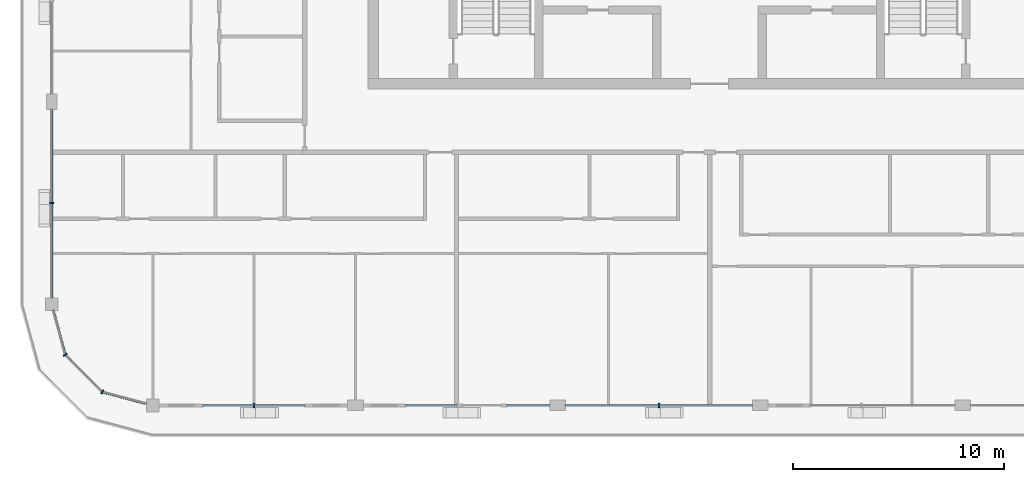
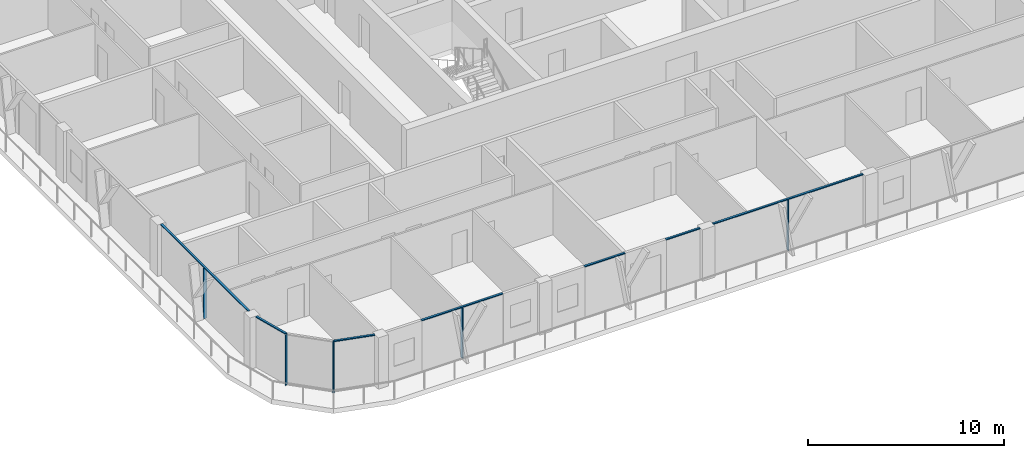
# One storey, part 2 of 21: 12 members, 5 elements without a shape of their own.
"""IFC4 building model written with IfcOpenShell, lengths in metres."""

from ifc_helpers import new_model, si_unit, direction, frame, origin, origin_2d, place, context, subcontext, project, spatial, rectangle, extrude, material, layer, layer_set, material_profile, profile_set, type_object, element, aggregate, save


model = new_model("IFC4")

# Units and contexts
model_context = context("Model", 3, precision=1e-05, world=origin(), true_north=direction((0.0, 1.0)))
body_context = subcontext(model_context, "Body", "Model", "MODEL_VIEW")
ifc_project = project(units=[si_unit("LENGTHUNIT", "METRE"), si_unit("AREAUNIT", "SQUARE_METRE"), si_unit("VOLUMEUNIT", "CUBIC_METRE"), si_unit("PLANEANGLEUNIT", "RADIAN"), si_unit("MASSUNIT", "GRAM", prefix="KILO")], contexts=[model_context])

# Site, building, storey
site_placement = place(None, origin())
site = spatial("IfcSite", under=ifc_project, at=site_placement, CompositionType="ELEMENT")
building_placement = place(site_placement, origin())
building = spatial("IfcBuilding", under=site, at=building_placement, Name="Madar Terraces", CompositionType="ELEMENT")
storey_placement = place(building_placement, frame((0.0, 0.0, 275.60009765625)))
storey = spatial("IfcBuildingStorey", under=building, at=storey_placement, Name="L72", CompositionType="ELEMENT", Elevation=275.60009765625)

# Curtain wall, member
ifc_material_1 = material(Name="Glass, ceramic frit dark grey, with black aluminium frame", Category="aluminium")
ifc_layer = layer(ifc_material_1, 0.199951171875)
ifc_layer_set = layer_set([ifc_layer], Name="Facade curtain wall, fritted glass")
curtain_wall_type = type_object("IfcCurtainWallType", Name="Facade curtain wall, fritted glass", PredefinedType="NOTDEFINED", material=ifc_layer_set)
curtain_wall_1_placement = place(storey_placement, origin())
curtain_wall_1 = element("IfcCurtainWall", 1, at=curtain_wall_1_placement, inside=storey, type_object=curtain_wall_type, Name="Outer skin curtain wall south bay 1", PredefinedType="NOTDEFINED")
ifc_material_2 = material(Name="Aluminium, black anodised", Category="aluminium")
ifc_material_profile_1 = material_profile(ifc_material_2, rectangle(XDim=0.199951171875, YDim=0.06005859375, at=origin_2d()), Name="Facade mullion 60x200")
ifc_profile_set_1 = profile_set([ifc_material_profile_1], Name="Aluminium, black anodised")
member_type_1 = type_object("IfcMemberType", Name="Facade mullion 60x200", PredefinedType="MULLION", material=ifc_profile_set_1)
member_1_placement = place(storey_placement, frame((9.60009765625, 0.0, 0.0), z_axis=(0.0, 0.0, 1.0), x_axis=(0.0, 1.0, 0.0)))
member_1 = element("IfcMember", 2, at=member_1_placement, type_object=member_type_1, Name="Mullion 1", PredefinedType="MULLION", context=body_context, shape_type="SweptSolid", body=[
    extrude(rectangle(XDim=0.199951171875, YDim=0.06005859375, at=origin_2d()), origin(), (0.0, 0.0, 1.0), 3.139892578125),
])

curtain_wall_2_placement = place(storey_placement, origin())
curtain_wall_2 = element("IfcCurtainWall", 3, at=curtain_wall_2_placement, inside=storey, type_object=curtain_wall_type, Name="Outer skin curtain wall south bay 3", PredefinedType="NOTDEFINED")
member_2_placement = place(storey_placement, frame((28.800048828125, 0.0, 0.0), z_axis=(0.0, 0.0, 1.0), x_axis=(0.0, 1.0, 0.0)))
member_2 = element("IfcMember", 4, at=member_2_placement, type_object=member_type_1, Name="Mullion 1", PredefinedType="MULLION", context=body_context, shape_type="SweptSolid", body=[
    extrude(rectangle(XDim=0.199951171875, YDim=0.06005859375, at=origin_2d()), origin(), (0.0, 0.0, 1.0), 3.139892578125),
])

curtain_wall_3_placement = place(storey_placement, origin())
curtain_wall_3 = element("IfcCurtainWall", 5, at=curtain_wall_3_placement, inside=storey, type_object=curtain_wall_type, Name="Outer skin curtain wall west bay 4", PredefinedType="NOTDEFINED")
member_3_placement = place(storey_placement, frame((0.0, 9.60009765625, 0.0), z_axis=(0.0, 0.0, 1.0), x_axis=(1.0, 0.0, 0.0)))
member_3 = element("IfcMember", 6, at=member_3_placement, type_object=member_type_1, Name="Mullion 1", PredefinedType="MULLION", context=body_context, shape_type="SweptSolid", body=[
    extrude(rectangle(XDim=0.199951171875, YDim=0.06005859375, at=origin_2d()), origin(), (0.0, 0.0, 1.0), 3.139892578125),
])

# Curtain wall, members
curtain_wall_4_placement = place(storey_placement, origin())
curtain_wall_4 = element("IfcCurtainWall", 7, at=curtain_wall_4_placement, inside=storey, type_object=curtain_wall_type, Name="Outer skin curtain wall south-west corner", PredefinedType="NOTDEFINED")
member_4_placement = place(storey_placement, frame((0.64306640625, 2.39990234375, 0.0), z_axis=(0.0, 0.0, 1.0), x_axis=(0.866025409797, 0.499999989586, 0.0)))
member_4 = element("IfcMember", 8, at=member_4_placement, type_object=member_type_1, Name="Mullion 1", PredefinedType="MULLION", context=body_context, shape_type="SweptSolid", body=[
    extrude(rectangle(XDim=0.199951171875, YDim=0.06005859375, at=origin_2d()), origin(), (0.0, 0.0, 1.0), 3.139892578125),
])
member_5_placement = place(storey_placement, frame((2.39990234375, 0.64306640625, 0.0), z_axis=(0.0, 0.0, 1.0), x_axis=(0.499999989586, 0.866025409797, 0.0)))
member_5 = element("IfcMember", 9, at=member_5_placement, type_object=member_type_1, Name="Mullion 2", PredefinedType="MULLION", context=body_context, shape_type="SweptSolid", body=[
    extrude(rectangle(XDim=0.199951171875, YDim=0.06005859375, at=origin_2d()), origin(), (0.0, 0.0, 1.0), 3.139892578125),
])

# Member
ifc_material_3 = material(Name="Aluminium, black anodised", Category="aluminium")
ifc_material_profile_2 = material_profile(ifc_material_3, rectangle(XDim=0.1201171875, YDim=0.06005859375, at=origin_2d()), Name="Facade transom 60x120")
ifc_profile_set_2 = profile_set([ifc_material_profile_2], Name="Aluminium, black anodised")
member_type_2 = type_object("IfcMemberType", Name="Facade transom 60x120", PredefinedType="USERDEFINED", material=ifc_profile_set_2)
member_6_placement = place(storey_placement, frame((7.199951171875, 0.0, 3.169921875), z_axis=(1.0, 0.0, 0.0), x_axis=(0.0, 1.0, 0.0)))
member_6 = element("IfcMember", 10, at=member_6_placement, type_object=member_type_2, Name="Transom 1", ObjectType="TRANSOM", PredefinedType="USERDEFINED", context=body_context, shape_type="SweptSolid", body=[
    extrude(rectangle(XDim=0.1201171875, YDim=0.06005859375, at=origin_2d()), origin(), (0.0, 0.0, 1.0), 4.800048828125),
])

aggregate(curtain_wall_1, [member_1, member_6])

# Curtain wall, members
curtain_wall_5_placement = place(storey_placement, origin())
curtain_wall_5 = element("IfcCurtainWall", 11, at=curtain_wall_5_placement, inside=storey, type_object=curtain_wall_type, Name="Outer skin curtain wall south bay 2", PredefinedType="NOTDEFINED")
member_7_placement = place(storey_placement, frame((16.800048828125, 0.0, 3.169921875), z_axis=(1.0, 0.0, 0.0), x_axis=(0.0, 1.0, 0.0)))
member_7 = element("IfcMember", 12, at=member_7_placement, type_object=member_type_2, Name="Transom 1", ObjectType="TRANSOM", PredefinedType="USERDEFINED", context=body_context, shape_type="SweptSolid", body=[
    extrude(rectangle(XDim=0.1201171875, YDim=0.06005859375, at=origin_2d()), origin(), (0.0, 0.0, 1.0), 2.39990234375),
])
member_8_placement = place(storey_placement, frame((21.60009765625, 0.0, 3.169921875), z_axis=(1.0, 0.0, 0.0), x_axis=(0.0, 1.0, 0.0)))
member_8 = element("IfcMember", 13, at=member_8_placement, type_object=member_type_2, Name="Transom 2", ObjectType="TRANSOM", PredefinedType="USERDEFINED", context=body_context, shape_type="SweptSolid", body=[
    extrude(rectangle(XDim=0.1201171875, YDim=0.06005859375, at=origin_2d()), origin(), (0.0, 0.0, 1.0), 2.02490234375),
])
aggregate(curtain_wall_5, [member_7, member_8])

# Member
member_9_placement = place(storey_placement, frame((24.375, 0.0, 3.169921875), z_axis=(1.0, 0.0, 0.0), x_axis=(0.0, 1.0, 0.0)))
member_9 = element("IfcMember", 14, at=member_9_placement, type_object=member_type_2, Name="Transom 1", ObjectType="TRANSOM", PredefinedType="USERDEFINED", context=body_context, shape_type="SweptSolid", body=[
    extrude(rectangle(XDim=0.1201171875, YDim=0.06005859375, at=origin_2d()), origin(), (0.0, 0.0, 1.0), 8.85009765625),
])

aggregate(curtain_wall_2, [member_2, member_9])

member_10_placement = place(storey_placement, frame((0.0, 14.02490234375, 3.169921875), z_axis=(0.0, -1.0, 0.0), x_axis=(1.0, 0.0, 0.0)))
member_10 = element("IfcMember", 15, at=member_10_placement, type_object=member_type_2, Name="Transom 1", ObjectType="TRANSOM", PredefinedType="USERDEFINED", context=body_context, shape_type="SweptSolid", body=[
    extrude(rectangle(XDim=0.1201171875, YDim=0.06005859375, at=origin_2d()), origin(), (0.0, 0.0, 1.0), 8.9248046875),
])

aggregate(curtain_wall_3, [member_3, member_10])

member_11_placement = place(storey_placement, frame((0.080322265625, 4.5, 3.169921875), z_axis=(0.258817664066, -0.965926196336, 0.0), x_axis=(0.965926196336, 0.258817664066, 0.0)))
member_11 = element("IfcMember", 16, at=member_11_placement, type_object=member_type_2, Name="Transom 1", ObjectType="TRANSOM", PredefinedType="USERDEFINED", context=body_context, shape_type="SweptSolid", body=[
    extrude(rectangle(XDim=0.1201171875, YDim=0.06005859375, at=origin_2d()), origin(), (0.0, 0.0, 1.0), 2.14404296875),
])

member_12_placement = place(storey_placement, frame((2.428955078125, 0.63525390625, 3.169921875), z_axis=(0.965926196336, -0.258817664066, 0.0), x_axis=(0.258817664066, 0.965926196336, 0.0)))
member_12 = element("IfcMember", 17, at=member_12_placement, type_object=member_type_2, Name="Transom 3", ObjectType="TRANSOM", PredefinedType="USERDEFINED", context=body_context, shape_type="SweptSolid", body=[
    extrude(rectangle(XDim=0.1201171875, YDim=0.06005859375, at=origin_2d()), origin(), (0.0, 0.0, 1.0), 2.14404296875),
])

aggregate(curtain_wall_4, [member_4, member_11, member_5, member_12])

save(model, "model.ifc")
